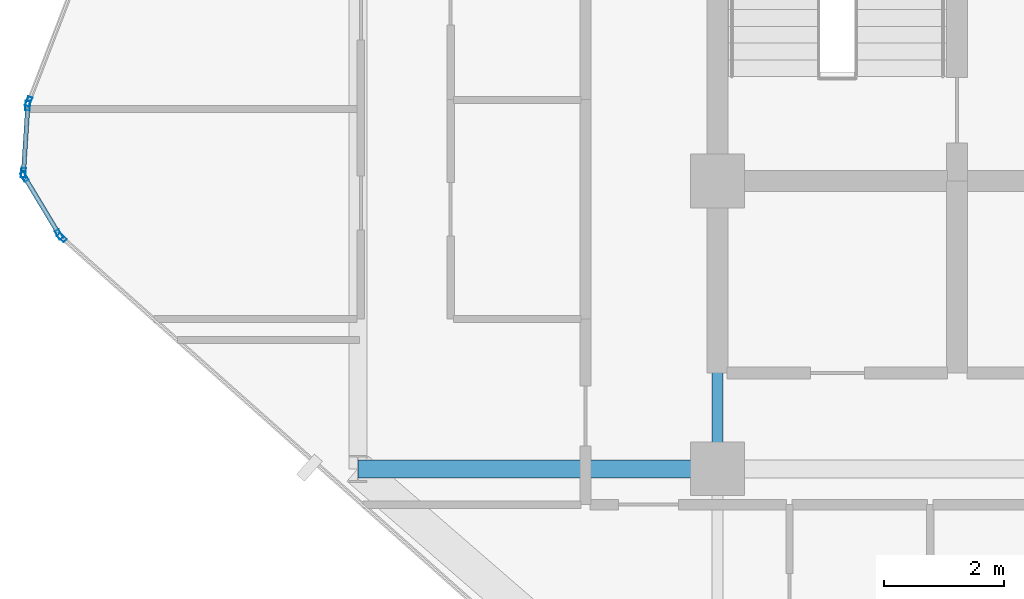
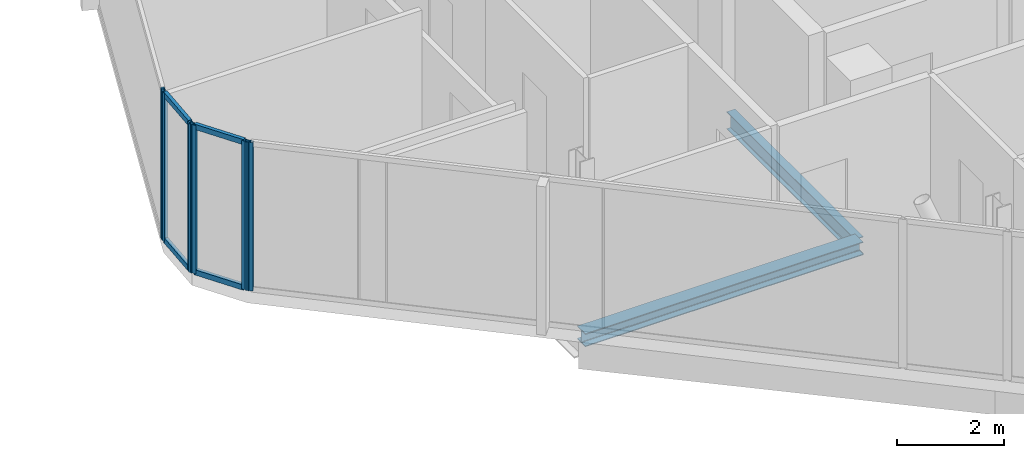
# One storey, part 8 of 29: 10 members, 2 beams, 4 elements without a shape of their own.
"""IFC4 building model written with IfcOpenShell, lengths in metres."""

from ifc_helpers import new_model, si_unit, direction, frame, origin, origin_2d, place, context, subcontext, project, spatial, hollow_rectangle, i_section, extrude, material, layer, layer_set, material_profile, profile_set, type_object, element, aggregate, save


model = new_model("IFC4")

# Units and contexts
model_context = context("Model", 3, precision=1e-05, world=origin(), true_north=direction((0.0, 1.0)))
body_context = subcontext(model_context, "Body", "Model", "MODEL_VIEW")
ifc_project = project(units=[si_unit("LENGTHUNIT", "METRE"), si_unit("AREAUNIT", "SQUARE_METRE"), si_unit("VOLUMEUNIT", "CUBIC_METRE"), si_unit("PLANEANGLEUNIT", "RADIAN"), si_unit("MASSUNIT", "GRAM", prefix="KILO")], contexts=[model_context])

# Site, building, storey
site_placement = place(None, origin())
site = spatial("IfcSite", under=ifc_project, at=site_placement, CompositionType="ELEMENT")
building_placement = place(site_placement, origin())
building = spatial("IfcBuilding", under=site, at=building_placement, Name="Keshet Zoharim Tower", CompositionType="ELEMENT")
storey_placement = place(building_placement, frame((0.0, 0.0, 195.800048828125)))
storey = spatial("IfcBuildingStorey", under=building, at=storey_placement, Name="L48", CompositionType="ELEMENT", Elevation=195.800048828125)

# Beams
ifc_material_1 = material(Name="Steel S355", Category="steel")
ifc_material_profile_1 = material_profile(ifc_material_1, i_section(OverallWidth=0.300048828125, OverallDepth=0.300048828125, WebThickness=0.010986328125, FlangeThickness=0.01904296875, FilletRadius=0.027099609375, at=origin_2d()), Name="HEB300")
ifc_profile_set_1 = profile_set([ifc_material_profile_1], Name="Steel S355")
beam_type_1 = type_object("IfcBeamType", Name="BM-PRI-HB300", PredefinedType="BEAM", material=ifc_profile_set_1)
beam_1_placement = place(storey_placement, frame((9.0, 17.89990234375, -0.4599609375), z_axis=(1.0, 0.0, 0.0), x_axis=(0.0, 1.0, 0.0)))
element("IfcBeam", 1, at=beam_1_placement, inside=storey, type_object=beam_type_1, Name="L48 Primary Girder X-011", PredefinedType="BEAM", context=body_context, shape_type="SweptSolid", body=[
    extrude(i_section(OverallWidth=0.300048828125, OverallDepth=0.300048828125, WebThickness=0.010986328125, FlangeThickness=0.01904296875, FilletRadius=0.027099609375, at=origin_2d()), origin(), (0.0, 0.0, 1.0), 6.0),
])
ifc_material_profile_2 = material_profile(ifc_material_1, i_section(OverallWidth=0.179931640625, OverallDepth=0.39990234375, WebThickness=0.008544921875, FlangeThickness=0.013427734375, FilletRadius=0.02099609375, at=origin_2d()), Name="IPE400")
ifc_profile_set_2 = profile_set([ifc_material_profile_2], Name="Steel S355")
beam_type_2 = type_object("IfcBeamType", Name="BM-PRI-IP400", PredefinedType="BEAM", material=ifc_profile_set_2)
beam_2_placement = place(storey_placement, frame((15.0, 17.89990234375, -0.510009765625), z_axis=(0.0, 1.0, 0.0), x_axis=(-1.0, 0.0, 0.0)))
element("IfcBeam", 2, at=beam_2_placement, inside=storey, type_object=beam_type_2, Name="L48 Primary Girder Y-003", PredefinedType="BEAM", context=body_context, shape_type="SweptSolid", body=[
    extrude(i_section(OverallWidth=0.179931640625, OverallDepth=0.39990234375, WebThickness=0.008544921875, FlangeThickness=0.013427734375, FilletRadius=0.02099609375, at=origin_2d()), origin(), (0.0, 0.0, 1.0), 4.800048828125),
])

# Curtain wall, member
ifc_material_2 = material(Name="Aluminium 6063-T6", Category="aluminium")
ifc_layer = layer(ifc_material_2, 0.139892578125)
ifc_layer_set = layer_set([ifc_layer], Name="Aluminium 6063-T6")
curtain_wall_type = type_object("IfcCurtainWallType", Name="CW-SYS-05", PredefinedType="NOTDEFINED", material=ifc_layer_set)
curtain_wall_1_placement = place(storey_placement, origin())
curtain_wall_1 = element("IfcCurtainWall", 3, at=curtain_wall_1_placement, inside=storey, type_object=curtain_wall_type, Name="L48 Unitised Curtain Wall 10 Part 3", PredefinedType="NOTDEFINED")
ifc_material_profile_3 = material_profile(ifc_material_2, hollow_rectangle(XDim=0.074951171875, YDim=0.159912109375, WallThickness=0.00390625, at=origin_2d()), Name="MUL-75x160")
ifc_profile_set_3 = profile_set([ifc_material_profile_3], Name="Aluminium 6063-T6")
member_type_1 = type_object("IfcMemberType", Name="CWM-M15", PredefinedType="MULLION", material=ifc_profile_set_3)
member_1_placement = place(storey_placement, frame((4.061279296875, 21.7568359375, 0.0), z_axis=(0.0, 0.0, 1.0), x_axis=(-0.664366823013, -0.747406666066, 0.0)))
member_1 = element("IfcMember", 4, at=member_1_placement, type_object=member_type_1, Name="CW-05 mullion 2", PredefinedType="MULLION", context=body_context, shape_type="SweptSolid", body=[
    extrude(hollow_rectangle(XDim=0.074951171875, YDim=0.159912109375, WallThickness=0.00390625, at=origin_2d()), origin(), (0.0, 0.0, 1.0), 3.389892578125),
])
aggregate(curtain_wall_1, [member_1])

# Curtain wall, members
curtain_wall_2_placement = place(storey_placement, origin())
curtain_wall_2 = element("IfcCurtainWall", 5, at=curtain_wall_2_placement, inside=storey, type_object=curtain_wall_type, Name="L48 Unitised Curtain Wall 11", PredefinedType="NOTDEFINED")
member_2_placement = place(storey_placement, frame((4.016845703125, 21.81005859375, 0.0), z_axis=(0.0, 0.0, 1.0), x_axis=(-0.856826433805, -0.515604947933, 0.0)))
member_2 = element("IfcMember", 6, at=member_2_placement, type_object=member_type_1, Name="CW-05 mullion 1", PredefinedType="MULLION", context=body_context, shape_type="SweptSolid", body=[
    extrude(hollow_rectangle(XDim=0.074951171875, YDim=0.159912109375, WallThickness=0.00390625, at=origin_2d()), origin(), (0.0, 0.0, 1.0), 3.389892578125),
])
member_3_placement = place(storey_placement, frame((3.43798828125, 22.77197265625, 0.0), z_axis=(0.0, 0.0, 1.0), x_axis=(-0.856826433805, -0.515604947933, 0.0)))
member_3 = element("IfcMember", 7, at=member_3_placement, type_object=member_type_1, Name="CW-05 mullion 2", PredefinedType="MULLION", context=body_context, shape_type="SweptSolid", body=[
    extrude(hollow_rectangle(XDim=0.074951171875, YDim=0.159912109375, WallThickness=0.00390625, at=origin_2d()), origin(), (0.0, 0.0, 1.0), 3.389892578125),
])

curtain_wall_3_placement = place(storey_placement, origin())
curtain_wall_3 = element("IfcCurtainWall", 8, at=curtain_wall_3_placement, inside=storey, type_object=curtain_wall_type, Name="L48 Unitised Curtain Wall 12", PredefinedType="NOTDEFINED")
member_4_placement = place(storey_placement, frame((3.42236328125, 22.8369140625, 0.0), z_axis=(0.0, 0.0, 1.0), x_axis=(-0.997916617186, 0.064516859374, 0.0)))
member_4 = element("IfcMember", 9, at=member_4_placement, type_object=member_type_1, Name="CW-05 mullion 1", PredefinedType="MULLION", context=body_context, shape_type="SweptSolid", body=[
    extrude(hollow_rectangle(XDim=0.074951171875, YDim=0.159912109375, WallThickness=0.00390625, at=origin_2d()), origin(), (0.0, 0.0, 1.0), 3.389892578125),
])
member_5_placement = place(storey_placement, frame((3.49462890625, 23.9580078125, 0.0), z_axis=(0.0, 0.0, 1.0), x_axis=(-0.997916617186, 0.064516859374, 0.0)))
member_5 = element("IfcMember", 10, at=member_5_placement, type_object=member_type_1, Name="CW-05 mullion 2", PredefinedType="MULLION", context=body_context, shape_type="SweptSolid", body=[
    extrude(hollow_rectangle(XDim=0.074951171875, YDim=0.159912109375, WallThickness=0.00390625, at=origin_2d()), origin(), (0.0, 0.0, 1.0), 3.389892578125),
])

# Curtain wall, member
curtain_wall_4_placement = place(storey_placement, origin())
curtain_wall_4 = element("IfcCurtainWall", 11, at=curtain_wall_4_placement, inside=storey, type_object=curtain_wall_type, Name="L48 Unitised Curtain Wall 13", PredefinedType="NOTDEFINED")
member_6_placement = place(storey_placement, frame((3.509521484375, 24.025634765625, 0.0), z_axis=(0.0, 0.0, 1.0), x_axis=(-0.933341404361, 0.358990003907, 0.0)))
member_6 = element("IfcMember", 12, at=member_6_placement, type_object=member_type_1, Name="CW-05 mullion 1", PredefinedType="MULLION", context=body_context, shape_type="SweptSolid", body=[
    extrude(hollow_rectangle(XDim=0.074951171875, YDim=0.159912109375, WallThickness=0.00390625, at=origin_2d()), origin(), (0.0, 0.0, 1.0), 3.389892578125),
])
aggregate(curtain_wall_4, [member_6])

# Member
ifc_material_profile_4 = material_profile(ifc_material_2, hollow_rectangle(XDim=0.074951171875, YDim=0.1201171875, WallThickness=0.00390625, at=origin_2d()), Name="TRN-75x120")
ifc_profile_set_4 = profile_set([ifc_material_profile_4], Name="Aluminium 6063-T6")
member_type_2 = type_object("IfcMemberType", Name="CWT-T12", PredefinedType="USERDEFINED", material=ifc_profile_set_4)
member_7_placement = place(storey_placement, frame((3.9990234375, 21.840087890625, 0.034912109375), z_axis=(-0.515791194107, 0.856714330499, 0.0), x_axis=(-0.856714330499, -0.515791194107, 0.0)))
member_7 = element("IfcMember", 13, at=member_7_placement, type_object=member_type_2, Name="CW-05 transom 1.1", ObjectType="TRANSOM", PredefinedType="USERDEFINED", context=body_context, shape_type="SweptSolid", body=[
    extrude(hollow_rectangle(XDim=0.074951171875, YDim=0.1201171875, WallThickness=0.00390625, at=origin_2d()), origin(), (0.0, 0.0, 1.0), 1.052734375),
])

member_8_placement = place(storey_placement, frame((3.9990234375, 21.840087890625, 3.35498046875), z_axis=(-0.515791194107, 0.856714330499, 0.0), x_axis=(-0.856714330499, -0.515791194107, 0.0)))
member_8 = element("IfcMember", 14, at=member_8_placement, type_object=member_type_2, Name="CW-05 transom 1.2", ObjectType="TRANSOM", PredefinedType="USERDEFINED", context=body_context, shape_type="SweptSolid", body=[
    extrude(hollow_rectangle(XDim=0.074951171875, YDim=0.1201171875, WallThickness=0.00390625, at=origin_2d()), origin(), (0.0, 0.0, 1.0), 1.052734375),
])

aggregate(curtain_wall_2, [member_2, member_3, member_7, member_8])

member_9_placement = place(storey_placement, frame((3.424560546875, 22.871826171875, 0.034912109375), z_axis=(0.064426947155, 0.997922426083, 0.0), x_axis=(-0.997922426083, 0.064426947155, 0.0)))
member_9 = element("IfcMember", 15, at=member_9_placement, type_object=member_type_2, Name="CW-05 transom 1.1", ObjectType="TRANSOM", PredefinedType="USERDEFINED", context=body_context, shape_type="SweptSolid", body=[
    extrude(hollow_rectangle(XDim=0.074951171875, YDim=0.1201171875, WallThickness=0.00390625, at=origin_2d()), origin(), (0.0, 0.0, 1.0), 1.053466796875),
])

member_10_placement = place(storey_placement, frame((3.424560546875, 22.871826171875, 3.35498046875), z_axis=(0.064426947155, 0.997922426083, 0.0), x_axis=(-0.997922426083, 0.064426947155, 0.0)))
member_10 = element("IfcMember", 16, at=member_10_placement, type_object=member_type_2, Name="CW-05 transom 1.2", ObjectType="TRANSOM", PredefinedType="USERDEFINED", context=body_context, shape_type="SweptSolid", body=[
    extrude(hollow_rectangle(XDim=0.074951171875, YDim=0.1201171875, WallThickness=0.00390625, at=origin_2d()), origin(), (0.0, 0.0, 1.0), 1.053466796875),
])

aggregate(curtain_wall_3, [member_4, member_5, member_9, member_10])

save(model, "model.ifc")
